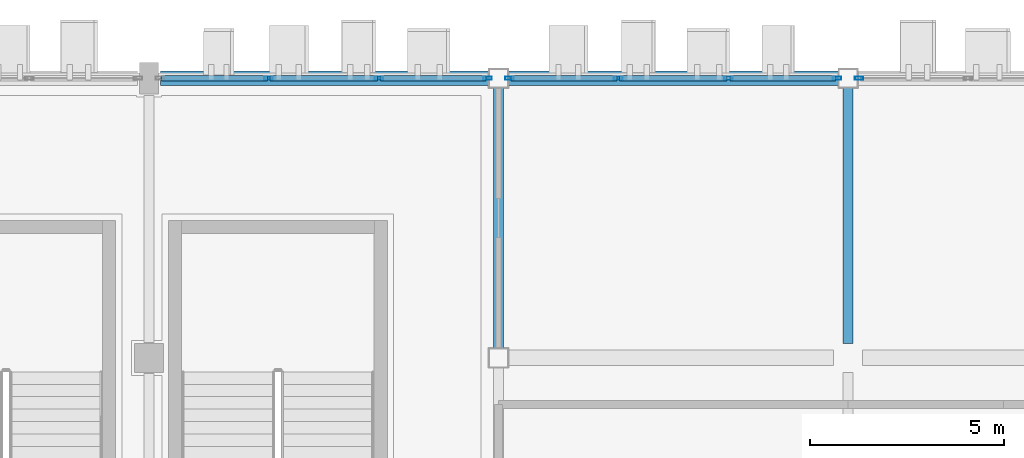
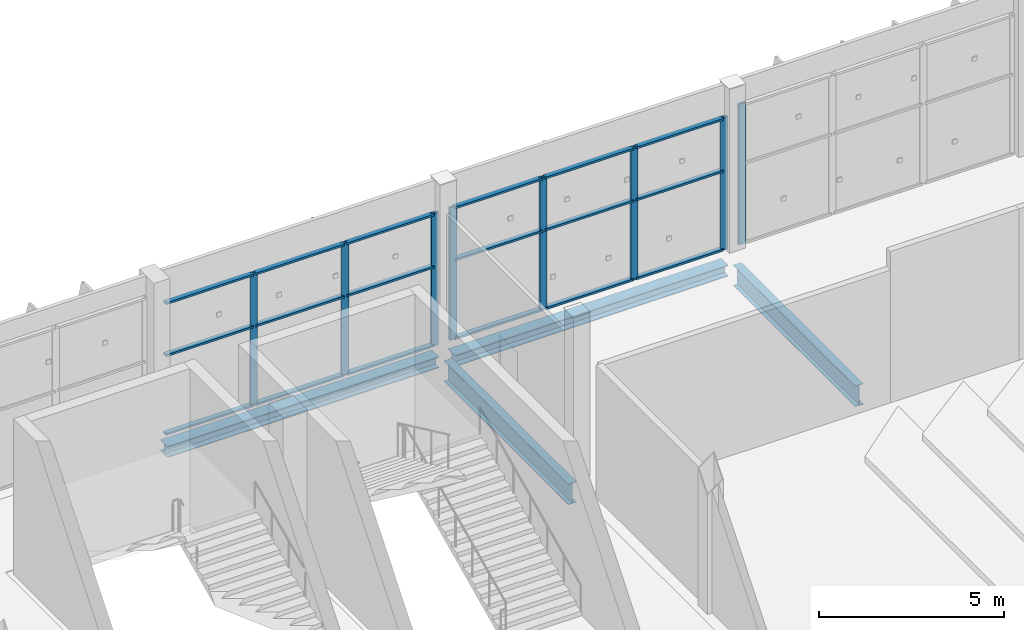
# One storey, part 103 of 189: 26 members, 4 beams, 3 elements without a shape of their own.
"""IFC4 building model written with IfcOpenShell, lengths in metres."""

from ifc_helpers import new_model, si_unit, direction, frame, origin, origin_2d, place, context, subcontext, project, spatial, hollow_rectangle, i_section, extrude, material, layer, layer_set, material_profile, profile_set, type_object, element, aggregate, save


model = new_model("IFC4")

# Units and contexts
model_context = context("Model", 3, precision=1e-05, world=origin(), true_north=direction((0.0, 1.0)))
body_context = subcontext(model_context, "Body", "Model", "MODEL_VIEW")
ifc_project = project(units=[si_unit("LENGTHUNIT", "METRE"), si_unit("AREAUNIT", "SQUARE_METRE"), si_unit("VOLUMEUNIT", "CUBIC_METRE"), si_unit("PLANEANGLEUNIT", "RADIAN"), si_unit("MASSUNIT", "GRAM", prefix="KILO")], contexts=[model_context])

# Site, building, storey
site_placement = place(None, origin())
site = spatial("IfcSite", under=ifc_project, at=site_placement, CompositionType="ELEMENT")
building_placement = place(site_placement, origin())
building = spatial("IfcBuilding", under=site, at=building_placement, Name="Celestram Park Convention Centre", CompositionType="ELEMENT")
storey_placement = place(building_placement, frame((0.0, 0.0, 5.39990234375)))
storey = spatial("IfcBuildingStorey", under=building, at=storey_placement, Name="L01", CompositionType="ELEMENT", Elevation=5.39990234375)

# Curtain wall, members
ifc_material_1 = material(Name="Anodised Aluminium Alloy 6063-T6", Category="aluminium")
ifc_layer_1 = layer(ifc_material_1, 0.179931640625)
ifc_layer_set_1 = layer_set([ifc_layer_1], Name="Anodised Aluminium Alloy 6063-T6")
curtain_wall_type_1 = type_object("IfcCurtainWallType", Name="ARC-CW-850X437", PredefinedType="NOTDEFINED", material=ifc_layer_set_1)
curtain_wall_1_placement = place(storey_placement, origin())
curtain_wall_1 = element("IfcCurtainWall", 1, at=curtain_wall_1_placement, inside=storey, type_object=curtain_wall_type_1, Name="Unitised curtain wall CU-L01-067", PredefinedType="NOTDEFINED")
ifc_material_profile_1 = material_profile(ifc_material_1, hollow_rectangle(XDim=0.074951171875, YDim=0.219970703125, WallThickness=0.00390625, at=origin_2d()), Name="ALU75X220X4")
ifc_profile_set_1 = profile_set([ifc_material_profile_1], Name="Anodised Aluminium Alloy 6063-T6")
member_type_1 = type_object("IfcMemberType", Name="ARC-CWM-180", PredefinedType="MULLION", material=ifc_profile_set_1)
member_1_placement = place(storey_placement, frame((147.082763671875, 165.60009765625, 0.0), z_axis=(0.0, 0.0, 1.0), x_axis=(0.0, 1.0, 0.0)))
member_1 = element("IfcMember", 2, at=member_1_placement, type_object=member_type_1, Name="CW-85X43 mullion 2", PredefinedType="MULLION", context=body_context, shape_type="SweptSolid", body=[
    extrude(hollow_rectangle(XDim=0.074951171875, YDim=0.219970703125, WallThickness=0.00390625, at=origin_2d()), origin(), (0.0, 0.0, 1.0), 4.3681640625),
])
member_2_placement = place(storey_placement, frame((149.917236328125, 165.60009765625, 0.0), z_axis=(0.0, 0.0, 1.0), x_axis=(0.0, 1.0, 0.0)))
member_2 = element("IfcMember", 3, at=member_2_placement, type_object=member_type_1, Name="CW-85X43 mullion 3", PredefinedType="MULLION", context=body_context, shape_type="SweptSolid", body=[
    extrude(hollow_rectangle(XDim=0.074951171875, YDim=0.219970703125, WallThickness=0.00390625, at=origin_2d()), origin(), (0.0, 0.0, 1.0), 4.3681640625),
])
member_3_placement = place(storey_placement, frame((152.714599609375, 165.60009765625, 0.0), z_axis=(0.0, 0.0, 1.0), x_axis=(0.0, 1.0, 0.0)))
member_3 = element("IfcMember", 4, at=member_3_placement, type_object=member_type_1, Name="CW-85X43 mullion 4", PredefinedType="MULLION", context=body_context, shape_type="SweptSolid", body=[
    extrude(hollow_rectangle(XDim=0.074951171875, YDim=0.219970703125, WallThickness=0.00390625, at=origin_2d()), origin(), (0.0, 0.0, 1.0), 4.3681640625),
])

curtain_wall_2_placement = place(storey_placement, origin())
curtain_wall_2 = element("IfcCurtainWall", 5, at=curtain_wall_2_placement, inside=storey, type_object=curtain_wall_type_1, Name="Unitised curtain wall CU-L01-068", PredefinedType="NOTDEFINED")
member_4_placement = place(storey_placement, frame((153.285400390625, 165.60009765625, 0.0), z_axis=(0.0, 0.0, 1.0), x_axis=(0.0, 1.0, 0.0)))
member_4 = element("IfcMember", 6, at=member_4_placement, type_object=member_type_1, Name="CW-85X43 mullion 1", PredefinedType="MULLION", context=body_context, shape_type="SweptSolid", body=[
    extrude(hollow_rectangle(XDim=0.074951171875, YDim=0.219970703125, WallThickness=0.00390625, at=origin_2d()), origin(), (0.0, 0.0, 1.0), 4.3681640625),
])
member_5_placement = place(storey_placement, frame((156.082763671875, 165.60009765625, 0.0), z_axis=(0.0, 0.0, 1.0), x_axis=(0.0, 1.0, 0.0)))
member_5 = element("IfcMember", 7, at=member_5_placement, type_object=member_type_1, Name="CW-85X43 mullion 2", PredefinedType="MULLION", context=body_context, shape_type="SweptSolid", body=[
    extrude(hollow_rectangle(XDim=0.074951171875, YDim=0.219970703125, WallThickness=0.00390625, at=origin_2d()), origin(), (0.0, 0.0, 1.0), 4.3681640625),
])
member_6_placement = place(storey_placement, frame((158.917236328125, 165.60009765625, 0.0), z_axis=(0.0, 0.0, 1.0), x_axis=(0.0, 1.0, 0.0)))
member_6 = element("IfcMember", 8, at=member_6_placement, type_object=member_type_1, Name="CW-85X43 mullion 3", PredefinedType="MULLION", context=body_context, shape_type="SweptSolid", body=[
    extrude(hollow_rectangle(XDim=0.074951171875, YDim=0.219970703125, WallThickness=0.00390625, at=origin_2d()), origin(), (0.0, 0.0, 1.0), 4.3681640625),
])
member_7_placement = place(storey_placement, frame((161.714599609375, 165.60009765625, 0.0), z_axis=(0.0, 0.0, 1.0), x_axis=(0.0, 1.0, 0.0)))
member_7 = element("IfcMember", 9, at=member_7_placement, type_object=member_type_1, Name="CW-85X43 mullion 4", PredefinedType="MULLION", context=body_context, shape_type="SweptSolid", body=[
    extrude(hollow_rectangle(XDim=0.074951171875, YDim=0.219970703125, WallThickness=0.00390625, at=origin_2d()), origin(), (0.0, 0.0, 1.0), 4.3681640625),
])

# Curtain wall, member
ifc_layer_2 = layer(ifc_material_1, 0.179931640625)
ifc_layer_set_2 = layer_set([ifc_layer_2], Name="Anodised Aluminium Alloy 6063-T6")
curtain_wall_type_2 = type_object("IfcCurtainWallType", Name="ARC-CW-850X462", PredefinedType="NOTDEFINED", material=ifc_layer_set_2)
curtain_wall_3_placement = place(storey_placement, origin())
curtain_wall_3 = element("IfcCurtainWall", 10, at=curtain_wall_3_placement, inside=storey, type_object=curtain_wall_type_2, Name="Unitised curtain wall CU-L01-069", PredefinedType="NOTDEFINED")
member_8_placement = place(storey_placement, frame((162.285400390625, 165.60009765625, 0.0), z_axis=(0.0, 0.0, 1.0), x_axis=(0.0, 1.0, 0.0)))
member_8 = element("IfcMember", 11, at=member_8_placement, type_object=member_type_1, Name="CW-85X46 mullion 1", PredefinedType="MULLION", context=body_context, shape_type="SweptSolid", body=[
    extrude(hollow_rectangle(XDim=0.074951171875, YDim=0.219970703125, WallThickness=0.00390625, at=origin_2d()), origin(), (0.0, 0.0, 1.0), 4.6240234375),
])
aggregate(curtain_wall_3, [member_8])

# Member
ifc_material_profile_2 = material_profile(ifc_material_1, hollow_rectangle(XDim=0.14990234375, YDim=0.06494140625, WallThickness=0.0029296875, at=origin_2d()), Name="ALU150X65X3")
ifc_profile_set_2 = profile_set([ifc_material_profile_2], Name="Anodised Aluminium Alloy 6063-T6")
member_type_2 = type_object("IfcMemberType", Name="ARC-CWT-150", PredefinedType="USERDEFINED", material=ifc_profile_set_2)
member_9_placement = place(storey_placement, frame((144.322998046875, 165.60009765625, 0.03271484375), z_axis=(1.0, 0.0, 0.0), x_axis=(0.0, 1.0, 0.0)))
member_9 = element("IfcMember", 12, at=member_9_placement, type_object=member_type_2, Name="CW-85X43 transom 1.1", ObjectType="TRANSOM", PredefinedType="USERDEFINED", context=body_context, shape_type="SweptSolid", body=[
    extrude(hollow_rectangle(XDim=0.14990234375, YDim=0.06494140625, WallThickness=0.0029296875, at=origin_2d()), origin(), (0.0, 0.0, 1.0), 2.72216796875),
])

member_10_placement = place(storey_placement, frame((144.322998046875, 165.60009765625, 2.62109375), z_axis=(1.0, 0.0, 0.0), x_axis=(0.0, 1.0, 0.0)))
member_10 = element("IfcMember", 13, at=member_10_placement, type_object=member_type_2, Name="CW-85X43 transom 1.2", ObjectType="TRANSOM", PredefinedType="USERDEFINED", context=body_context, shape_type="SweptSolid", body=[
    extrude(hollow_rectangle(XDim=0.14990234375, YDim=0.06494140625, WallThickness=0.0029296875, at=origin_2d()), origin(), (0.0, 0.0, 1.0), 2.72216796875),
])

member_11_placement = place(storey_placement, frame((144.322998046875, 165.60009765625, 4.335693359375), z_axis=(1.0, 0.0, 0.0), x_axis=(0.0, 1.0, 0.0)))
member_11 = element("IfcMember", 14, at=member_11_placement, type_object=member_type_2, Name="CW-85X43 transom 1.3", ObjectType="TRANSOM", PredefinedType="USERDEFINED", context=body_context, shape_type="SweptSolid", body=[
    extrude(hollow_rectangle(XDim=0.14990234375, YDim=0.06494140625, WallThickness=0.0029296875, at=origin_2d()), origin(), (0.0, 0.0, 1.0), 2.72216796875),
])

member_12_placement = place(storey_placement, frame((147.1201171875, 165.60009765625, 0.03271484375), z_axis=(1.0, 0.0, 0.0), x_axis=(0.0, 1.0, 0.0)))
member_12 = element("IfcMember", 15, at=member_12_placement, type_object=member_type_2, Name="CW-85X43 transom 2.1", ObjectType="TRANSOM", PredefinedType="USERDEFINED", context=body_context, shape_type="SweptSolid", body=[
    extrude(hollow_rectangle(XDim=0.14990234375, YDim=0.06494140625, WallThickness=0.0029296875, at=origin_2d()), origin(), (0.0, 0.0, 1.0), 2.759765625),
])

member_13_placement = place(storey_placement, frame((147.1201171875, 165.60009765625, 2.62109375), z_axis=(1.0, 0.0, 0.0), x_axis=(0.0, 1.0, 0.0)))
member_13 = element("IfcMember", 16, at=member_13_placement, type_object=member_type_2, Name="CW-85X43 transom 2.2", ObjectType="TRANSOM", PredefinedType="USERDEFINED", context=body_context, shape_type="SweptSolid", body=[
    extrude(hollow_rectangle(XDim=0.14990234375, YDim=0.06494140625, WallThickness=0.0029296875, at=origin_2d()), origin(), (0.0, 0.0, 1.0), 2.759765625),
])

member_14_placement = place(storey_placement, frame((147.1201171875, 165.60009765625, 4.335693359375), z_axis=(1.0, 0.0, 0.0), x_axis=(0.0, 1.0, 0.0)))
member_14 = element("IfcMember", 17, at=member_14_placement, type_object=member_type_2, Name="CW-85X43 transom 2.3", ObjectType="TRANSOM", PredefinedType="USERDEFINED", context=body_context, shape_type="SweptSolid", body=[
    extrude(hollow_rectangle(XDim=0.14990234375, YDim=0.06494140625, WallThickness=0.0029296875, at=origin_2d()), origin(), (0.0, 0.0, 1.0), 2.759765625),
])

member_15_placement = place(storey_placement, frame((149.954833984375, 165.60009765625, 0.03271484375), z_axis=(1.0, 0.0, 0.0), x_axis=(0.0, 1.0, 0.0)))
member_15 = element("IfcMember", 18, at=member_15_placement, type_object=member_type_2, Name="CW-85X43 transom 3.1", ObjectType="TRANSOM", PredefinedType="USERDEFINED", context=body_context, shape_type="SweptSolid", body=[
    extrude(hollow_rectangle(XDim=0.14990234375, YDim=0.06494140625, WallThickness=0.0029296875, at=origin_2d()), origin(), (0.0, 0.0, 1.0), 2.72216796875),
])

member_16_placement = place(storey_placement, frame((149.954833984375, 165.60009765625, 2.62109375), z_axis=(1.0, 0.0, 0.0), x_axis=(0.0, 1.0, 0.0)))
member_16 = element("IfcMember", 19, at=member_16_placement, type_object=member_type_2, Name="CW-85X43 transom 3.2", ObjectType="TRANSOM", PredefinedType="USERDEFINED", context=body_context, shape_type="SweptSolid", body=[
    extrude(hollow_rectangle(XDim=0.14990234375, YDim=0.06494140625, WallThickness=0.0029296875, at=origin_2d()), origin(), (0.0, 0.0, 1.0), 2.72216796875),
])

member_17_placement = place(storey_placement, frame((149.954833984375, 165.60009765625, 4.335693359375), z_axis=(1.0, 0.0, 0.0), x_axis=(0.0, 1.0, 0.0)))
member_17 = element("IfcMember", 20, at=member_17_placement, type_object=member_type_2, Name="CW-85X43 transom 3.3", ObjectType="TRANSOM", PredefinedType="USERDEFINED", context=body_context, shape_type="SweptSolid", body=[
    extrude(hollow_rectangle(XDim=0.14990234375, YDim=0.06494140625, WallThickness=0.0029296875, at=origin_2d()), origin(), (0.0, 0.0, 1.0), 2.72216796875),
])

aggregate(curtain_wall_1, [member_1, member_2, member_3, member_9, member_10, member_11, member_12, member_13, member_14, member_15, member_16, member_17])

member_18_placement = place(storey_placement, frame((153.322998046875, 165.60009765625, 0.03271484375), z_axis=(1.0, 0.0, 0.0), x_axis=(0.0, 1.0, 0.0)))
member_18 = element("IfcMember", 21, at=member_18_placement, type_object=member_type_2, Name="CW-85X43 transom 1.1", ObjectType="TRANSOM", PredefinedType="USERDEFINED", context=body_context, shape_type="SweptSolid", body=[
    extrude(hollow_rectangle(XDim=0.14990234375, YDim=0.06494140625, WallThickness=0.0029296875, at=origin_2d()), origin(), (0.0, 0.0, 1.0), 2.72216796875),
])

member_19_placement = place(storey_placement, frame((153.322998046875, 165.60009765625, 2.62109375), z_axis=(1.0, 0.0, 0.0), x_axis=(0.0, 1.0, 0.0)))
member_19 = element("IfcMember", 22, at=member_19_placement, type_object=member_type_2, Name="CW-85X43 transom 1.2", ObjectType="TRANSOM", PredefinedType="USERDEFINED", context=body_context, shape_type="SweptSolid", body=[
    extrude(hollow_rectangle(XDim=0.14990234375, YDim=0.06494140625, WallThickness=0.0029296875, at=origin_2d()), origin(), (0.0, 0.0, 1.0), 2.72216796875),
])

member_20_placement = place(storey_placement, frame((153.322998046875, 165.60009765625, 4.335693359375), z_axis=(1.0, 0.0, 0.0), x_axis=(0.0, 1.0, 0.0)))
member_20 = element("IfcMember", 23, at=member_20_placement, type_object=member_type_2, Name="CW-85X43 transom 1.3", ObjectType="TRANSOM", PredefinedType="USERDEFINED", context=body_context, shape_type="SweptSolid", body=[
    extrude(hollow_rectangle(XDim=0.14990234375, YDim=0.06494140625, WallThickness=0.0029296875, at=origin_2d()), origin(), (0.0, 0.0, 1.0), 2.72216796875),
])

member_21_placement = place(storey_placement, frame((156.1201171875, 165.60009765625, 0.03271484375), z_axis=(1.0, 0.0, 0.0), x_axis=(0.0, 1.0, 0.0)))
member_21 = element("IfcMember", 24, at=member_21_placement, type_object=member_type_2, Name="CW-85X43 transom 2.1", ObjectType="TRANSOM", PredefinedType="USERDEFINED", context=body_context, shape_type="SweptSolid", body=[
    extrude(hollow_rectangle(XDim=0.14990234375, YDim=0.06494140625, WallThickness=0.0029296875, at=origin_2d()), origin(), (0.0, 0.0, 1.0), 2.759765625),
])

member_22_placement = place(storey_placement, frame((156.1201171875, 165.60009765625, 2.62109375), z_axis=(1.0, 0.0, 0.0), x_axis=(0.0, 1.0, 0.0)))
member_22 = element("IfcMember", 25, at=member_22_placement, type_object=member_type_2, Name="CW-85X43 transom 2.2", ObjectType="TRANSOM", PredefinedType="USERDEFINED", context=body_context, shape_type="SweptSolid", body=[
    extrude(hollow_rectangle(XDim=0.14990234375, YDim=0.06494140625, WallThickness=0.0029296875, at=origin_2d()), origin(), (0.0, 0.0, 1.0), 2.759765625),
])

member_23_placement = place(storey_placement, frame((156.1201171875, 165.60009765625, 4.335693359375), z_axis=(1.0, 0.0, 0.0), x_axis=(0.0, 1.0, 0.0)))
member_23 = element("IfcMember", 26, at=member_23_placement, type_object=member_type_2, Name="CW-85X43 transom 2.3", ObjectType="TRANSOM", PredefinedType="USERDEFINED", context=body_context, shape_type="SweptSolid", body=[
    extrude(hollow_rectangle(XDim=0.14990234375, YDim=0.06494140625, WallThickness=0.0029296875, at=origin_2d()), origin(), (0.0, 0.0, 1.0), 2.759765625),
])

member_24_placement = place(storey_placement, frame((158.954833984375, 165.60009765625, 0.03271484375), z_axis=(1.0, 0.0, 0.0), x_axis=(0.0, 1.0, 0.0)))
member_24 = element("IfcMember", 27, at=member_24_placement, type_object=member_type_2, Name="CW-85X43 transom 3.1", ObjectType="TRANSOM", PredefinedType="USERDEFINED", context=body_context, shape_type="SweptSolid", body=[
    extrude(hollow_rectangle(XDim=0.14990234375, YDim=0.06494140625, WallThickness=0.0029296875, at=origin_2d()), origin(), (0.0, 0.0, 1.0), 2.72216796875),
])

member_25_placement = place(storey_placement, frame((158.954833984375, 165.60009765625, 2.62109375), z_axis=(1.0, 0.0, 0.0), x_axis=(0.0, 1.0, 0.0)))
member_25 = element("IfcMember", 28, at=member_25_placement, type_object=member_type_2, Name="CW-85X43 transom 3.2", ObjectType="TRANSOM", PredefinedType="USERDEFINED", context=body_context, shape_type="SweptSolid", body=[
    extrude(hollow_rectangle(XDim=0.14990234375, YDim=0.06494140625, WallThickness=0.0029296875, at=origin_2d()), origin(), (0.0, 0.0, 1.0), 2.72216796875),
])

member_26_placement = place(storey_placement, frame((158.954833984375, 165.60009765625, 4.335693359375), z_axis=(1.0, 0.0, 0.0), x_axis=(0.0, 1.0, 0.0)))
member_26 = element("IfcMember", 29, at=member_26_placement, type_object=member_type_2, Name="CW-85X43 transom 3.3", ObjectType="TRANSOM", PredefinedType="USERDEFINED", context=body_context, shape_type="SweptSolid", body=[
    extrude(hollow_rectangle(XDim=0.14990234375, YDim=0.06494140625, WallThickness=0.0029296875, at=origin_2d()), origin(), (0.0, 0.0, 1.0), 2.72216796875),
])

aggregate(curtain_wall_2, [member_4, member_5, member_6, member_7, member_18, member_19, member_20, member_21, member_22, member_23, member_24, member_25, member_26])

# Beams
ifc_material_2 = material(Name="Steel ASTM A992 Grade 50", Category="steel")
ifc_material_profile_3 = material_profile(ifc_material_2, i_section(OverallWidth=0.25390625, OverallDepth=0.68310546875, WebThickness=0.012451171875, FlangeThickness=0.01904296875, at=origin_2d()), Name="W27X94")
ifc_profile_set_3 = profile_set([ifc_material_profile_3], Name="Steel ASTM A992 Grade 50")
beam_type_1 = type_object("IfcBeamType", Name="STR-BM-W27X94", PredefinedType="BEAM", material=ifc_profile_set_3)
beam_1_placement = place(storey_placement, frame((153.0, 158.64794921875, -0.761474609375), z_axis=(0.0, 1.0, 0.0), x_axis=(-1.0, 0.0, 0.0)))
element("IfcBeam", 30, at=beam_1_placement, inside=storey, type_object=beam_type_1, Name="Primary Y-girder BG-L01-0380", PredefinedType="BEAM", context=body_context, shape_type="SweptSolid", body=[
    extrude(i_section(OverallWidth=0.25390625, OverallDepth=0.68310546875, WebThickness=0.012451171875, FlangeThickness=0.01904296875, at=origin_2d()), origin(), (0.0, 0.0, 1.0), 6.7041015625),
])
beam_2_placement = place(storey_placement, frame((162.0, 158.77294921875, -0.761474609375), z_axis=(0.0, 1.0, 0.0), x_axis=(-1.0, 0.0, 0.0)))
element("IfcBeam", 31, at=beam_2_placement, inside=storey, type_object=beam_type_1, Name="Primary Y-girder BG-L01-0406", PredefinedType="BEAM", context=body_context, shape_type="SweptSolid", body=[
    extrude(i_section(OverallWidth=0.25390625, OverallDepth=0.68310546875, WebThickness=0.012451171875, FlangeThickness=0.01904296875, at=origin_2d()), origin(), (0.0, 0.0, 1.0), 6.5791015625),
])
ifc_material_profile_4 = material_profile(ifc_material_2, i_section(OverallWidth=0.373046875, OverallDepth=0.373046875, WebThickness=0.016357421875, FlangeThickness=0.026123046875, at=origin_2d()), Name="W14X132")
ifc_profile_set_4 = profile_set([ifc_material_profile_4], Name="Steel ASTM A992 Grade 50")
beam_type_2 = type_object("IfcBeamType", Name="STR-SPN-W14X132", PredefinedType="SPANDREL", material=ifc_profile_set_4)
beam_3_placement = place(storey_placement, frame((144.298095703125, 165.60009765625, -0.46630859375), z_axis=(1.0, 0.0, 0.0), x_axis=(0.0, 1.0, 0.0)))
element("IfcBeam", 32, at=beam_3_placement, inside=storey, type_object=beam_type_2, Name="Primary X-girder BG-L01-0356", PredefinedType="SPANDREL", context=body_context, shape_type="SweptSolid", body=[
    extrude(i_section(OverallWidth=0.373046875, OverallDepth=0.373046875, WebThickness=0.016357421875, FlangeThickness=0.026123046875, at=origin_2d()), origin(), (0.0, 0.0, 1.0), 8.453857421875),
])
beam_4_placement = place(storey_placement, frame((153.248046875, 165.60009765625, -0.6064453125), z_axis=(1.0, 0.0, 0.0), x_axis=(0.0, 1.0, 0.0)))
element("IfcBeam", 33, at=beam_4_placement, inside=storey, type_object=beam_type_2, Name="Primary X-girder BG-L01-0381", PredefinedType="SPANDREL", context=body_context, shape_type="SweptSolid", body=[
    extrude(i_section(OverallWidth=0.373046875, OverallDepth=0.373046875, WebThickness=0.016357421875, FlangeThickness=0.026123046875, at=origin_2d()), origin(), (0.0, 0.0, 1.0), 8.50390625),
])

save(model, "model.ifc")
